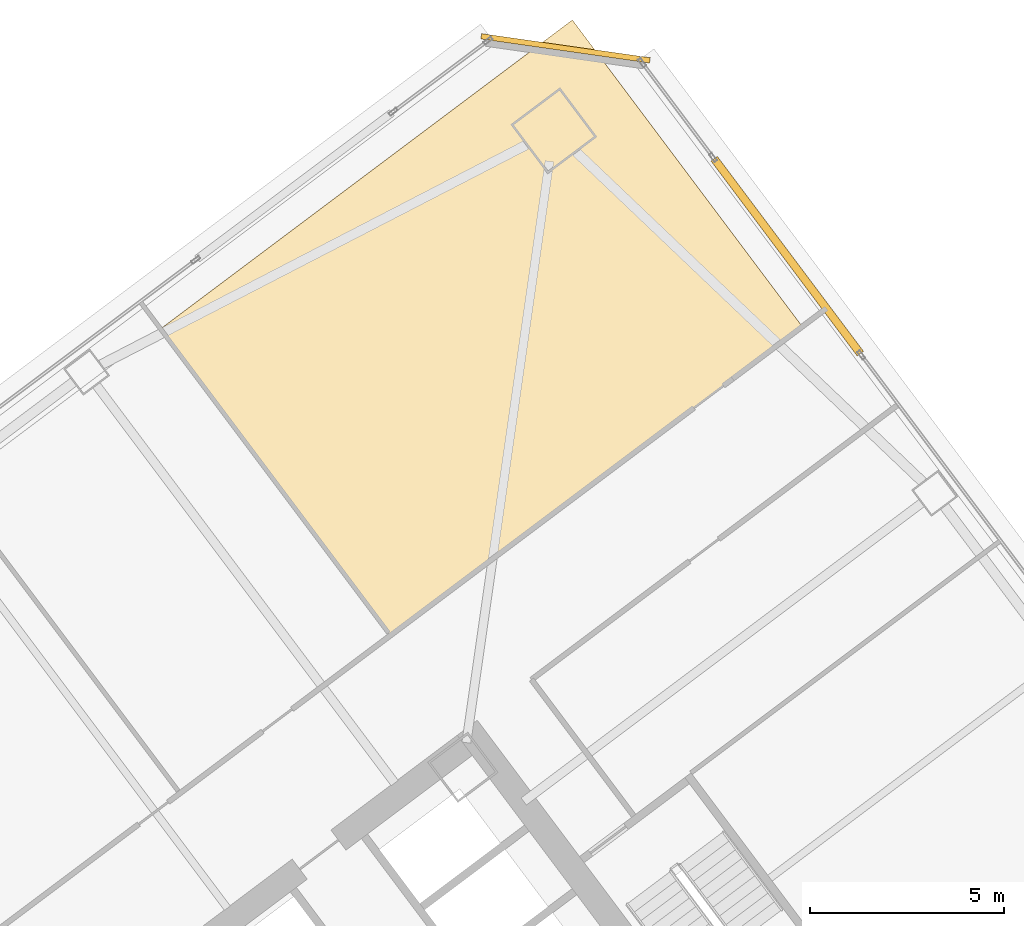
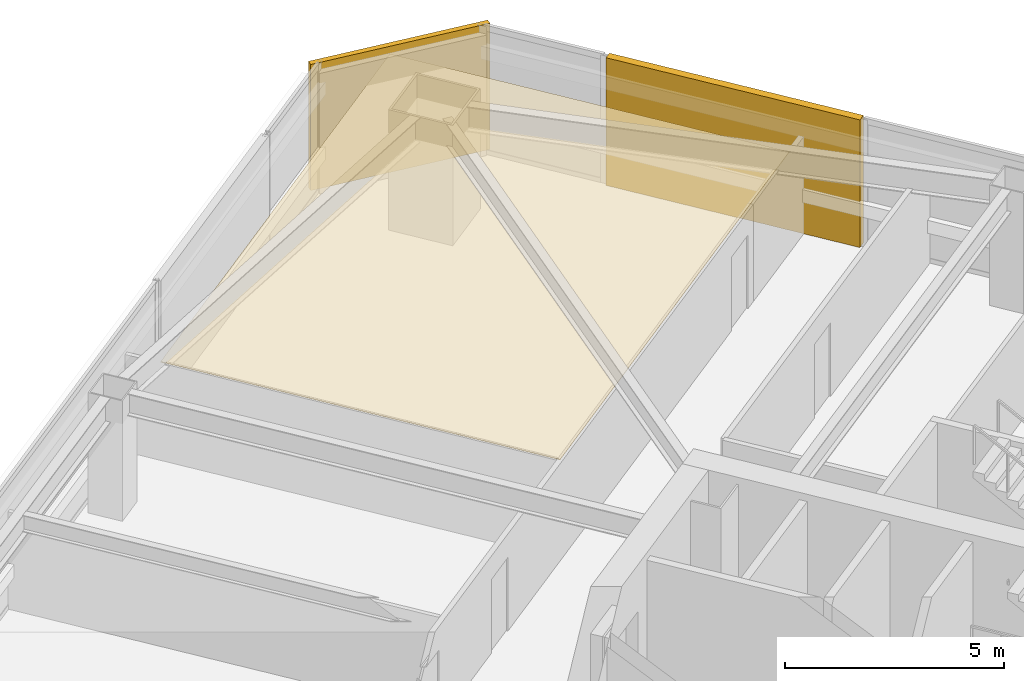
# One storey, part 48 of 48: 3 coverings.
"""IFC4 building model written with IfcOpenShell, lengths in metres."""

import ifcopenshell
import ifcopenshell.guid

model = None  # the IFC model being written
_history = None  # IfcOwnerHistory: only IFC2X3 demands one
_inside = {}  # id of a spatial element -> (the spatial element, [elements in it])
_under = {}  # id of a project, library or spatial element -> (it, [spatial elements below it])
_declared = {}  # id of a project -> (the project, [libraries it declares])
_typed = {}  # id of a type object -> (the type object, [elements of that type])
_made_of = {}  # id of a material, layer set ... -> (it, [elements and type objects made of it])


def new_model(schema):
    """Start an empty IFC model of exactly this schema.

    Asked for "IFC4X3", IfcOpenShell would pick the latest addendum, in which some entities
    have other attributes; the version numbers below select the first issue.
    IFC2X3 requires an IfcOwnerHistory on every rooted entity: one is made here for all.
    """
    global model, _history
    if schema == "IFC4X3":
        model = ifcopenshell.file(schema_version=(4, 3, 0, 0))
    else:
        model = ifcopenshell.file(schema=schema)
    _inside.clear()
    _under.clear()
    _declared.clear()
    _typed.clear()
    _made_of.clear()
    _history = None
    if model.schema == "IFC2X3":
        org = make("IfcOrganization", Name="unknown")
        user = make(
            "IfcPersonAndOrganization",
            ThePerson=make("IfcPerson", FamilyName="unknown"),
            TheOrganization=org,
        )
        app = make(
            "IfcApplication",
            ApplicationDeveloper=org,
            Version="unknown",
            ApplicationFullName="unknown",
            ApplicationIdentifier="unknown",
        )
        _history = make(
            "IfcOwnerHistory",
            OwningUser=user,
            OwningApplication=app,
            ChangeAction="ADDED",
            CreationDate=0,
        )
    return model


def make(cls, **values):
    """One entity of the class cls with the attributes given. An attribute that is None is left unset."""
    return model.create_entity(
        cls, **{name: value for name, value in values.items() if value is not None}
    )


def rooted(cls, **values):
    """An entity with a GlobalId (a new one), such as an element, a storey or a relation."""
    return make(cls, GlobalId=ifcopenshell.guid.new(), OwnerHistory=_history, **values)


def si_unit(unit_type, name, prefix=None):
    """IfcSIUnit, for example si_unit("LENGTHUNIT", "METRE", prefix="MILLI")."""
    return make("IfcSIUnit", UnitType=unit_type, Prefix=prefix, Name=name)


def assignment(units):
    """IfcUnitAssignment: the units of a project."""
    return None if units is None else make("IfcUnitAssignment", Units=units)


def point(xyz):
    """IfcCartesianPoint."""
    return None if xyz is None else make("IfcCartesianPoint", Coordinates=xyz)


def direction(xyz):
    """IfcDirection."""
    return None if xyz is None else make("IfcDirection", DirectionRatios=xyz)


def frame(location, z_axis=None, x_axis=None):
    """IfcAxis2Placement3D, a coordinate frame: its origin and axes. An axis left out is left unset."""
    return make(
        "IfcAxis2Placement3D",
        Location=point(location),
        Axis=direction(z_axis),
        RefDirection=direction(x_axis),
    )


def frame_2d(location, x_axis=None):
    """IfcAxis2Placement2D, a coordinate frame in the plane: its origin and x axis."""
    return make(
        "IfcAxis2Placement2D", Location=point(location), RefDirection=direction(x_axis)
    )


def origin():
    """The frame at (0, 0, 0) with its axes left unset."""
    return frame((0.0, 0.0, 0.0))


def origin_2d():
    """The frame at (0, 0) in the plane with its x axis left unset."""
    return frame_2d((0.0, 0.0))


def place(relative_to, where):
    """IfcLocalPlacement: puts the frame where relative to a parent placement (None: the world)."""
    return make(
        "IfcLocalPlacement", PlacementRelTo=relative_to, RelativePlacement=where
    )


def context(
    kind, dimensions, precision=None, world=None, true_north=None, identifier=None
):
    """IfcGeometricRepresentationContext, for example the 3D "Model" context."""
    return make(
        "IfcGeometricRepresentationContext",
        ContextIdentifier=identifier,
        ContextType=kind,
        CoordinateSpaceDimension=dimensions,
        Precision=precision,
        WorldCoordinateSystem=world,
        TrueNorth=true_north,
    )


def subcontext(parent, identifier, kind, view, scale=None):
    """IfcGeometricRepresentationSubContext, for example "Body" below "Model"."""
    return make(
        "IfcGeometricRepresentationSubContext",
        ContextIdentifier=identifier,
        ContextType=kind,
        ParentContext=parent,
        TargetScale=scale,
        TargetView=view,
    )


def project(units=None, contexts=None):
    """IfcProject with its units and contexts."""
    return rooted(
        "IfcProject",
        Name="project",
        RepresentationContexts=contexts,
        UnitsInContext=assignment(units),
    )


def spatial(cls, under=None, at=None, **own):
    """A site, building, storey or space (cls), placed at a placement, below another one or the project."""
    s = rooted(cls, ObjectPlacement=at, **own)
    if under is not None:
        _under.setdefault(under.id(), (under, []))[1].append(s)
    return s


def polyline(points):
    """IfcPolyline through the points."""
    return make("IfcPolyline", Points=[point(p) for p in points])


def profile(cls, at=None, kind="AREA", **sizes):
    """A parametric profile (cls). Its sizes go by their IFC names, for example OverallWidth=200.0."""
    return make(cls, ProfileType=kind, Position=at, **sizes)


def rectangle(**sizes):
    """IfcRectangleProfileDef."""
    return profile("IfcRectangleProfileDef", **sizes)


def outline(outer, holes=None, kind="AREA"):
    """IfcArbitraryClosedProfileDef: a profile drawn as a closed curve; with holes, ...WithVoids."""
    if holes is None:
        return make("IfcArbitraryClosedProfileDef", ProfileType=kind, OuterCurve=outer)
    return make(
        "IfcArbitraryProfileDefWithVoids",
        ProfileType=kind,
        OuterCurve=outer,
        InnerCurves=holes,
    )


def extrude(swept, where, along, depth):
    """IfcExtrudedAreaSolid: the profile swept, set in the frame where, extruded along a direction by depth."""
    return make(
        "IfcExtrudedAreaSolid",
        SweptArea=swept,
        Position=where,
        ExtrudedDirection=direction(along),
        Depth=depth,
    )


def shape(context_of_items, identifier, shape_type, items):
    """IfcShapeRepresentation: the items that make up one representation, for example the "Body"."""
    return make(
        "IfcShapeRepresentation",
        ContextOfItems=context_of_items,
        RepresentationIdentifier=identifier,
        RepresentationType=shape_type,
        Items=items,
    )


def material(Name=None, Category=None):
    """IfcMaterial."""
    return make("IfcMaterial", Name=Name, Category=Category)


def layer(
    of_material, thickness, ventilated=None, Name=None, Category=None, Priority=None
):
    """IfcMaterialLayer: one layer of a wall or slab, of a material (None: an air gap)."""
    return make(
        "IfcMaterialLayer",
        Material=of_material,
        LayerThickness=thickness,
        IsVentilated=ventilated,
        Name=Name,
        Category=Category,
        Priority=Priority,
    )


def layer_set(layers, Name=None):
    """IfcMaterialLayerSet."""
    return make("IfcMaterialLayerSet", MaterialLayers=layers, LayerSetName=Name)


def made_of(thing, what):
    """Note that an element or type object is made of a material, layer set ...; save() writes the relation."""
    if what is not None:
        _made_of.setdefault(what.id(), (what, []))[1].append(thing)
    return thing


def type_object(cls, material=None, **own):
    """A type object (cls), such as IfcWallType, which elements share."""
    return made_of(rooted(cls, **own), material)


def element(
    cls,
    number,
    at=None,
    inside=None,
    cuts=None,
    type_object=None,
    material=None,
    context=None,
    identifier="Body",
    shape_type=None,
    held_by="IfcProductDefinitionShape",
    body=None,
    shapes=None,
    **own,
):
    """One element of the class cls, such as IfcWall. Its Tag is "e" and its number.

    at: its placement. inside: the storey or other place that contains it. cuts: it is an
    opening in that element (IfcRelVoidsElement). A single representation is given by context,
    identifier, shape_type and body (its items); several are given by shapes. held_by: the class
    of the entity that holds the representations. save() writes the other relations.
    """
    e = rooted(cls, Tag="e%d" % number, ObjectPlacement=at, **own)
    if body is not None:
        shapes = [shape(context, identifier, shape_type, body)]
    if shapes is not None:
        e.Representation = make(held_by, Representations=shapes)
    if inside is not None:
        _inside.setdefault(inside.id(), (inside, []))[1].append(e)
    if cuts is not None:
        rooted(
            "IfcRelVoidsElement", RelatingBuildingElement=cuts, RelatedOpeningElement=e
        )
    if type_object is not None:
        _typed.setdefault(type_object.id(), (type_object, []))[1].append(e)
    return made_of(e, material)


def aggregate(whole, parts):
    """IfcRelAggregates: a whole, such as a stair, and the parts it consists of."""
    return rooted("IfcRelAggregates", RelatingObject=whole, RelatedObjects=parts)


def save(model, path):
    """Write the relations noted so far, then the file.

    IfcRelAggregates (storeys below a building ...), IfcRelContainedInSpatialStructure (elements
    in a storey), IfcRelDefinesByType, IfcRelAssociatesMaterial and IfcRelDeclares: one each for
    every whole, place, type object, material and project.
    """
    for whole, parts in _under.values():
        aggregate(whole, parts)
    for where, things in _inside.values():
        rooted(
            "IfcRelContainedInSpatialStructure",
            RelatedElements=things,
            RelatingStructure=where,
        )
    for kind, things in _typed.values():
        rooted("IfcRelDefinesByType", RelatedObjects=things, RelatingType=kind)
    for what, things in _made_of.values():
        rooted("IfcRelAssociatesMaterial", RelatedObjects=things, RelatingMaterial=what)
    for by, libraries in _declared.values():
        rooted("IfcRelDeclares", RelatingContext=by, RelatedDefinitions=libraries)
    model.write(path)


model = new_model("IFC4")

# Units and contexts
model_context = context("Model", 3, precision=1e-05, world=origin(), true_north=direction((0.0, 1.0)))
body_context = subcontext(model_context, "Body", "Model", "MODEL_VIEW")
ifc_project = project(units=[si_unit("LENGTHUNIT", "METRE"), si_unit("AREAUNIT", "SQUARE_METRE"), si_unit("VOLUMEUNIT", "CUBIC_METRE"), si_unit("PLANEANGLEUNIT", "RADIAN"), si_unit("MASSUNIT", "GRAM", prefix="KILO")], contexts=[model_context])

# Site, building, storey
site_placement = place(None, origin())
site = spatial("IfcSite", under=ifc_project, at=site_placement, CompositionType="ELEMENT")
building_placement = place(site_placement, origin())
building = spatial("IfcBuilding", under=site, at=building_placement, Name="Tashvorn Skyway Center", CompositionType="ELEMENT")
storey_placement = place(building_placement, frame((0.0, 0.0, 53.0)))
storey = spatial("IfcBuildingStorey", under=building, at=storey_placement, Name="L13", CompositionType="ELEMENT", Elevation=53.0)

# Coverings
ifc_material_1 = material(Name="Precast concrete C40/50", Category="concrete")
ifc_layer_1 = layer(ifc_material_1, 0.199951171875)
ifc_layer_set_1 = layer_set([ifc_layer_1], Name="Precast concrete C40/50")
covering_type_1 = type_object("IfcCoveringType", Name="COV-BRACE-CLAD", PredefinedType="CLADDING", material=ifc_layer_set_1)
covering_1_placement = place(storey_placement, frame((123.7919921875, 55.077392578125, 0.0), z_axis=(0.0, 0.0, 1.0), x_axis=(0.600000004945, -0.799999996291, 0.0)))
element("IfcCovering", 1, at=covering_1_placement, inside=storey, type_object=covering_type_1, Name="Tower 2 L13 East Unitised Curtain Wall Mega-Brace Cladding Band 1", PredefinedType="CLADDING", context=body_context, shape_type="SweptSolid", body=[
    extrude(rectangle(XDim=6.29345703125, YDim=0.199951171875, at=origin_2d()), origin(), (0.0, 0.0, 1.0), 3.550048828125),
])
ifc_material_2 = material(Name="Mineral-fibre acoustic ceiling tile on suspended grid")
ifc_layer_2 = layer(ifc_material_2, 0.02001953125)
ifc_layer_set_2 = layer_set([ifc_layer_2], Name="Mineral-fibre acoustic ceiling tile on suspended grid")
covering_type_2 = type_object("IfcCoveringType", Name="COV-CEIL-20", PredefinedType="CEILING", material=ifc_layer_set_2)
covering_2_placement = place(storey_placement, frame((0.0, 0.0, 2.68310546875)))
element("IfcCovering", 2, at=covering_2_placement, inside=storey, type_object=covering_type_2, Name="Tower 2 L13 Conference Room Acoustic Ceiling", PredefinedType="CEILING", context=body_context, shape_type="SweptSolid", body=[
    extrude(outline(polyline([(113.5400390625, 45.280029296875), (124.179931640625, 53.260009765625), (118.239990234375, 61.179931640625), (107.60009765625, 53.199951171875), (113.5400390625, 45.280029296875)])), origin(), (0.0, 0.0, 1.0), 0.019775390625),
])
ifc_layer_3 = layer(ifc_material_1, 0.35009765625)
ifc_layer_set_3 = layer_set([ifc_layer_3], Name="Precast concrete C40/50")
covering_type_3 = type_object("IfcCoveringType", Name="COV-STONE-TRIM", PredefinedType="CLADDING", material=ifc_layer_set_3)
covering_3_placement = place(storey_placement, frame((118.06396484375, 60.447998046875, 0.02001953125), z_axis=(0.0, 0.0, 1.0), x_axis=(0.989949494535, -0.141421350118, 0.0)))
element("IfcCovering", 3, at=covering_3_placement, inside=storey, type_object=covering_type_3, Name="Tower 2 L13 NE Mojave Limestone Corner Quoin", PredefinedType="CLADDING", context=body_context, shape_type="SweptSolid", body=[
    extrude(rectangle(XDim=4.402587890625, YDim=0.139892578125, at=origin_2d()), origin(), (0.0, 0.0, 1.0), 3.510009765625),
])

save(model, "model.ifc")
